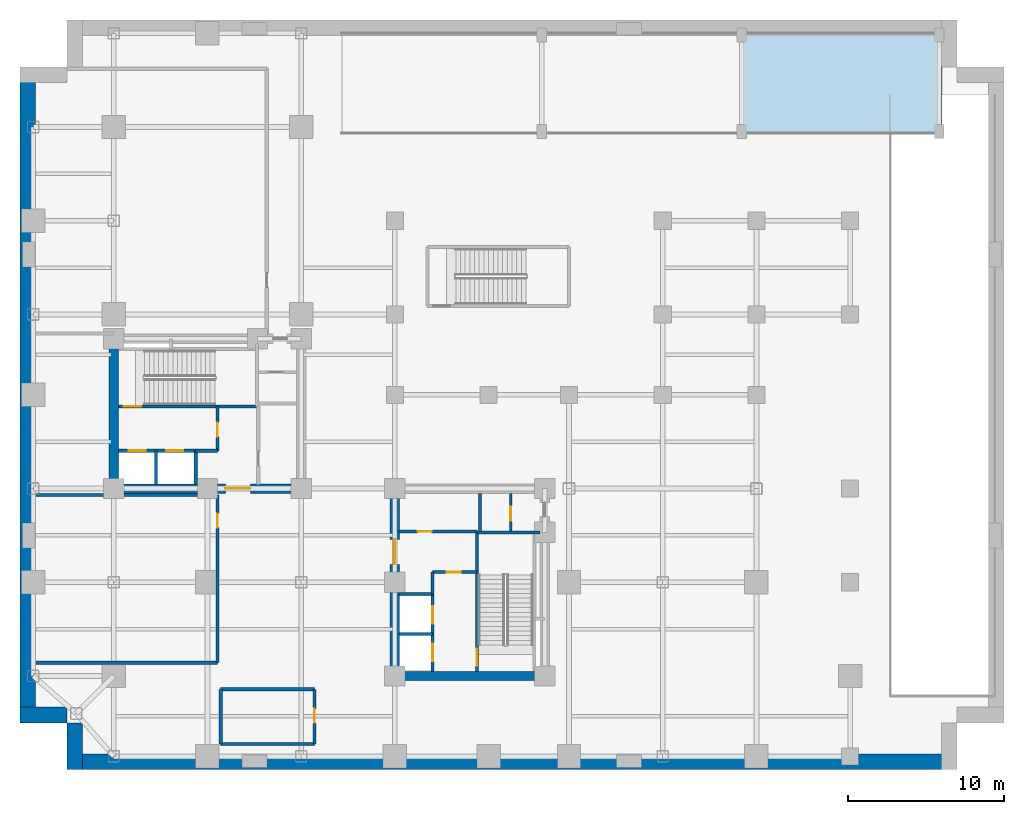
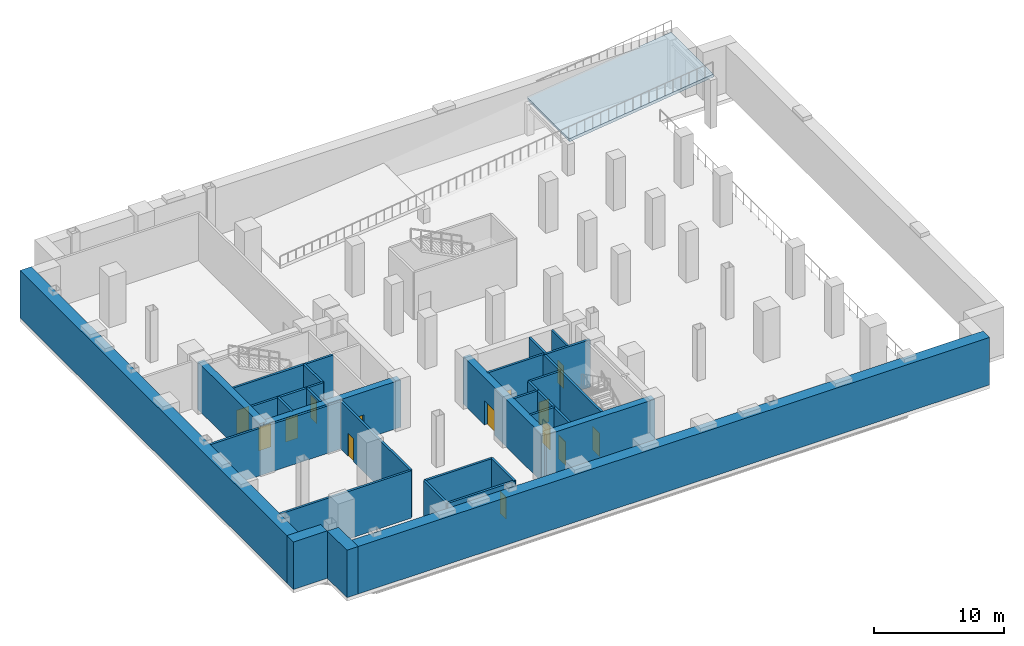
# One storey, part 3 of 6: 31 walls, 14 doors, 1 slab, 14 openings.
"""IFC4 building model written with IfcOpenShell, lengths in metres."""

from ifc_helpers import new_model, si_unit, direction, frame, frame_2d, origin, place, context, subcontext, project, spatial, polyline, rectangle, outline, extrude, material, layer, layer_set, type_object, element, fill, save


model = new_model("IFC4")

# Units and contexts
model_context = context("Model", 3, precision=1e-05, world=origin(), true_north=direction((0.0, 1.0)))
body_context = subcontext(model_context, "Body", "Model", "MODEL_VIEW")
ifc_project = project(units=[si_unit("LENGTHUNIT", "METRE"), si_unit("AREAUNIT", "SQUARE_METRE"), si_unit("VOLUMEUNIT", "CUBIC_METRE"), si_unit("PLANEANGLEUNIT", "RADIAN"), si_unit("MASSUNIT", "GRAM", prefix="KILO"), si_unit("THERMODYNAMICTEMPERATUREUNIT", "KELVIN"), si_unit("POWERUNIT", "WATT")], contexts=[model_context])

# Site, building, storey
site_placement = place(None, origin())
site = spatial("IfcSite", under=ifc_project, at=site_placement, CompositionType="ELEMENT")
building_placement = place(site_placement, origin())
building = spatial("IfcBuilding", under=site, at=building_placement, Name="Svarakhadi Broadcast Tower", CompositionType="ELEMENT")
storey_placement = place(building_placement, frame((0.0, 0.0, -4.800048828125)))
storey = spatial("IfcBuildingStorey", under=building, at=storey_placement, Name="B01", CompositionType="ELEMENT", Elevation=-4.800048828125)

# Slab
ifc_material_1 = material(Name="Concrete C45/55 (IS 456 M55 Marine)", Category="concrete")
ifc_layer_1 = layer(ifc_material_1, 0.280029296875)
ifc_layer_set_1 = layer_set([ifc_layer_1], Name="Concrete C45/55 (IS 456 M55 Marine)")
slab_type = type_object("IfcSlabType", Name="Slab_VehRamp", PredefinedType="FLOOR", material=ifc_layer_set_1)
slab_placement = place(storey_placement, frame((46.199951171875, 40.699951171875, 3.199951171875), z_axis=(-0.124041722688, 0.0, 0.992277003176), x_axis=(0.992277003176, 0.0, 0.124041722688)))
element("IfcSlab", 1, at=slab_placement, inside=storey, type_object=slab_type, Name="Car Park Vehicle Ramp R1 Flight B01-L00 Segment 3", PredefinedType="FLOOR", context=body_context, shape_type="SweptSolid", body=[
    extrude(outline(polyline([(0.0, 0.0), (12.899672961432818, 0.0), (12.899672961432818, 6.5), (0.0, 6.5), (0.0, 0.0)])), origin(), (0.0, 0.0, -1.0), 0.280029296875),
])

# Walls
ifc_layer_2 = layer(ifc_material_1, 1.0)
ifc_layer_set_2 = layer_set([ifc_layer_2], Name="Concrete C45/55 (IS 456 M55 Marine)")
wall_type_1 = type_object("IfcWallType", Name="Wall_Diaphragm_1000", PredefinedType="USERDEFINED", material=ifc_layer_set_2)
wall_1_placement = place(storey_placement, frame((3.0, 3.5, 0.0), z_axis=(0.0, 0.0, 1.0), x_axis=(-1.0, 0.0, 0.0)))
element("IfcWall", 2, at=wall_1_placement, inside=storey, type_object=wall_type_1, Name="B01 Perimeter Slurry Diaphragm Retaining Wall 01", ObjectType="RETAININGWALL", PredefinedType="USERDEFINED", context=body_context, shape_type="SweptSolid", body=[
    extrude(rectangle(XDim=3.0, YDim=1.0, at=frame_2d((1.5, 0.0))), origin(), (0.0, 0.0, 1.0), 4.449951171875),
])
wall_2_placement = place(storey_placement, frame((0.5, 3.0, 0.0), z_axis=(0.0, 0.0, 1.0), x_axis=(0.0, 1.0, 0.0)))
element("IfcWall", 3, at=wall_2_placement, inside=storey, type_object=wall_type_1, Name="B01 Perimeter Slurry Diaphragm Retaining Wall 02", ObjectType="RETAININGWALL", PredefinedType="USERDEFINED", context=body_context, shape_type="SweptSolid", body=[
    extrude(rectangle(XDim=42.0, YDim=1.0, at=frame_2d((21.0, 0.0))), origin(), (0.0, 0.0, 1.0), 4.449951171875),
])
wall_3_placement = place(storey_placement, frame((60.0, 0.5, 0.0), z_axis=(0.0, 0.0, 1.0), x_axis=(-1.0, 0.0, 0.0)))
element("IfcWall", 4, at=wall_3_placement, inside=storey, type_object=wall_type_1, Name="B01 Perimeter Slurry Diaphragm Retaining Wall 11", ObjectType="RETAININGWALL", PredefinedType="USERDEFINED", context=body_context, shape_type="SweptSolid", body=[
    extrude(rectangle(XDim=57.0, YDim=1.0, at=frame_2d((28.5, 0.0))), origin(), (0.0, 0.0, 1.0), 4.449951171875),
])
wall_4_placement = place(storey_placement, frame((3.5, 0.0, 0.0), z_axis=(0.0, 0.0, 1.0), x_axis=(0.0, 1.0, 0.0)))
element("IfcWall", 5, at=wall_4_placement, inside=storey, type_object=wall_type_1, Name="B01 Perimeter Slurry Diaphragm Retaining Wall 12", ObjectType="RETAININGWALL", PredefinedType="USERDEFINED", context=body_context, shape_type="SweptSolid", body=[
    extrude(rectangle(XDim=3.0, YDim=1.0, at=frame_2d((1.5, 0.0))), origin(), (0.0, 0.0, 1.0), 4.449951171875),
])

# Wall, opening, door
ifc_material_2 = material(Name="Concrete C40/50 (IS 456 M50)", Category="concrete")
ifc_layer_3 = layer(ifc_material_2, 0.199951171875)
ifc_layer_set_3 = layer_set([ifc_layer_3], Name="Concrete C40/50 (IS 456 M50)")
wall_type_2 = type_object("IfcWallType", Name="Wall_Fire_200", PredefinedType="SOLIDWALL", material=ifc_layer_set_3)
wall_5_placement = place(storey_placement, frame((24.25, 15.25, 0.0), z_axis=(0.0, 0.0, 1.0), x_axis=(1.0, 0.0, 0.0)))
wall_5 = element("IfcWall", 6, at=wall_5_placement, inside=storey, type_object=wall_type_2, Name="B01 Bank C East Motor Room Wall", PredefinedType="SOLIDWALL", context=body_context, shape_type="SweptSolid", body=[
    extrude(rectangle(XDim=5.010009765625, YDim=0.199951171875, at=frame_2d((2.5048828125, 0.0))), origin(), (0.0, 0.0, 1.0), 4.449951171875),
])
opening_1_placement = place(wall_5_placement, frame((1.199951171875, 0.0, 0.0)))
opening_1 = element("IfcOpeningElement", 7, at=opening_1_placement, cuts=wall_5, Name="Opening D-03", PredefinedType="OPENING", context=body_context, shape_type="SweptSolid", body=[
    extrude(rectangle(XDim=0.89990234375, YDim=2.14990234375, at=frame_2d((0.449951171875, 1.074951171875))), frame((0.0, 0.10986328125, 0.0), z_axis=(0.0, -1.0, 0.0), x_axis=(1.0, 0.0, 0.0)), (0.0, 0.0, 1.0), 0.219970703125),
])
ifc_material_3 = material(Name="Galvanised Powder-Coated Fire-Rated Steel Leaf", Category="steel")
door_type_1 = type_object("IfcDoorType", Name="Door_Fire_D03", OperationType="SINGLE_SWING_LEFT", PredefinedType="DOOR", material=ifc_material_3)
door_1_placement = place(opening_1_placement, origin())
door_1 = element("IfcDoor", 8, at=door_1_placement, inside=storey, type_object=door_type_1, Name="B01 Bank C East Motor Room Door", OperationType="SINGLE_SWING_LEFT", OverallHeight=2.14990234375, OverallWidth=0.89990234375, PredefinedType="DOOR", context=body_context, shape_type="SweptSolid", body=[
    extrude(rectangle(XDim=0.89990234375, YDim=2.14990234375, at=frame_2d((0.449951171875, 1.074951171875))), frame((0.0, 0.02490234375, 0.0), z_axis=(0.0, -1.0, 0.0), x_axis=(1.0, 0.0, 0.0)), (0.0, 0.0, 1.0), 0.050048828125),
])
fill(opening_1, door_1)

# Walls
wall_6_placement = place(storey_placement, frame((29.449951171875, 15.25, 0.0), z_axis=(0.0, 0.0, 1.0), x_axis=(0.0, 1.0, 0.0)))
element("IfcWall", 9, at=wall_6_placement, inside=storey, type_object=wall_type_2, Name="B01 Bank C East Motor Room East Wall", PredefinedType="SOLIDWALL", context=body_context, shape_type="SweptSolid", body=[
    extrude(rectangle(XDim=2.449951171875, YDim=0.199951171875, at=frame_2d((1.22509765625, 0.0))), origin(), (0.0, 0.0, 1.0), 4.449951171875),
])
for number, where, z_axis, x_axis, name in (
    (10, (1.02001953125, 6.85009765625, 0.0), (0.0, 0.0, 1.0), (1.0, 0.0, 0.0), "B01 Basement Ventilation Fan Plant Room Wall"),
    (11, (1.02001953125, 17.580078125, 0.0), (0.0, 0.0, 1.0), (1.0, 0.0, 0.0), "B01 Basement Ventilation Fan Plant Room Wall"),
):
    element("IfcWall", number, at=place(storey_placement, frame(where, z_axis=z_axis, x_axis=x_axis)), inside=storey, type_object=wall_type_2, Name=name, PredefinedType="SOLIDWALL", context=body_context, shape_type="SweptSolid", body=[
        extrude(rectangle(XDim=11.6298828125, YDim=0.199951171875, at=frame_2d((5.81494140625, 0.0))), origin(), (0.0, 0.0, 1.0), 4.449951171875),
    ])

# Wall, opening, door
wall_7_placement = place(storey_placement, frame((12.64990234375, 6.85009765625, 0.0), z_axis=(0.0, 0.0, 1.0), x_axis=(0.0, 1.0, 0.0)))
wall_7 = element("IfcWall", 12, at=wall_7_placement, inside=storey, type_object=wall_type_2, Name="B01 Basement Ventilation Fan Plant Room Wall", PredefinedType="SOLIDWALL", context=body_context, shape_type="SweptSolid", body=[
    extrude(rectangle(XDim=10.72998046875, YDim=0.199951171875, at=frame_2d((5.364990234375, 0.0))), origin(), (0.0, 0.0, 1.0), 4.449951171875),
])
opening_2_placement = place(wall_7_placement, frame((8.64990234375, 0.0, 0.0)))
opening_2 = element("IfcOpeningElement", 13, at=opening_2_placement, cuts=wall_7, Name="Opening D-03", PredefinedType="OPENING", context=body_context, shape_type="SweptSolid", body=[
    extrude(rectangle(XDim=0.89990234375, YDim=2.14990234375, at=frame_2d((0.449951171875, 1.074951171875))), frame((0.0, 0.10986328125, 0.0), z_axis=(0.0, -1.0, 0.0), x_axis=(1.0, 0.0, 0.0)), (0.0, 0.0, 1.0), 0.219970703125),
])
door_2_placement = place(opening_2_placement, origin())
door_2 = element("IfcDoor", 14, at=door_2_placement, inside=storey, type_object=door_type_1, Name="B01 Basement Ventilation Fan Plant Room Door", OperationType="SINGLE_SWING_LEFT", OverallHeight=2.14990234375, OverallWidth=0.89990234375, PredefinedType="DOOR", context=body_context, shape_type="SweptSolid", body=[
    extrude(rectangle(XDim=0.89990234375, YDim=2.14990234375, at=frame_2d((0.449951171875, 1.074951171875))), frame((0.0, 0.02490234375, 0.0), z_axis=(0.0, -1.0, 0.0), x_axis=(1.0, 0.0, 0.0)), (0.0, 0.0, 1.0), 0.050048828125),
])
fill(opening_2, door_2)

# Walls
for number, where, z_axis, x_axis, name in (
    (15, (12.85009765625, 1.64990234375, 0.0), (0.0, 0.0, 1.0), (1.0, 0.0, 0.0), "B01 B01 Accessible Driver Washroom WC Wall"),
    (16, (12.85009765625, 5.14990234375, 0.0), (0.0, 0.0, 1.0), (1.0, 0.0, 0.0), "B01 B01 Accessible Driver Washroom WC Wall"),
):
    element("IfcWall", number, at=place(storey_placement, frame(where, z_axis=z_axis, x_axis=x_axis)), inside=storey, type_object=wall_type_2, Name=name, PredefinedType="SOLIDWALL", context=body_context, shape_type="SweptSolid", body=[
        extrude(rectangle(XDim=6.0, YDim=0.199951171875, at=frame_2d((3.0, 0.0))), origin(), (0.0, 0.0, 1.0), 4.449951171875),
    ])
wall_8_placement = place(storey_placement, frame((12.85009765625, 1.64990234375, 0.0), z_axis=(0.0, 0.0, 1.0), x_axis=(0.0, 1.0, 0.0)))
element("IfcWall", 17, at=wall_8_placement, inside=storey, type_object=wall_type_2, Name="B01 B01 Accessible Driver Washroom WC Wall", PredefinedType="SOLIDWALL", context=body_context, shape_type="SweptSolid", body=[
    extrude(rectangle(XDim=3.5, YDim=0.199951171875, at=frame_2d((1.75, 0.0))), origin(), (0.0, 0.0, 1.0), 4.449951171875),
])

# Wall, opening, door
wall_9_placement = place(storey_placement, frame((18.85009765625, 1.64990234375, 0.0), z_axis=(0.0, 0.0, 1.0), x_axis=(0.0, 1.0, 0.0)))
wall_9 = element("IfcWall", 18, at=wall_9_placement, inside=storey, type_object=wall_type_2, Name="B01 B01 Accessible Driver Washroom WC Wall", PredefinedType="SOLIDWALL", context=body_context, shape_type="SweptSolid", body=[
    extrude(rectangle(XDim=3.5, YDim=0.199951171875, at=frame_2d((1.75, 0.0))), origin(), (0.0, 0.0, 1.0), 4.449951171875),
])
opening_3_placement = place(wall_9_placement, frame((1.35009765625, 0.0, 0.0)))
opening_3 = element("IfcOpeningElement", 19, at=opening_3_placement, cuts=wall_9, Name="Opening D-12", PredefinedType="OPENING", context=body_context, shape_type="SweptSolid", body=[
    extrude(rectangle(XDim=0.89990234375, YDim=2.10009765625, at=frame_2d((0.449951171875, 1.050048828125))), frame((0.0, 0.10986328125, 0.0), z_axis=(0.0, -1.0, 0.0), x_axis=(1.0, 0.0, 0.0)), (0.0, 0.0, 1.0), 0.219970703125),
])
ifc_material_4 = material(Name="Solid-Core Teak Veneer Acoustic Timber Leaf", Category="wood")
door_type_2 = type_object("IfcDoorType", Name="Door_WC_D01", OperationType="SINGLE_SWING_LEFT", PredefinedType="DOOR", material=ifc_material_4)
door_3_placement = place(opening_3_placement, origin())
door_3 = element("IfcDoor", 20, at=door_3_placement, inside=storey, type_object=door_type_2, Name="B01 B01 Accessible Driver Washroom WC Door", OperationType="SINGLE_SWING_LEFT", OverallHeight=2.10009765625, OverallWidth=0.89990234375, PredefinedType="DOOR", context=body_context, shape_type="SweptSolid", body=[
    extrude(rectangle(XDim=0.89990234375, YDim=2.10009765625, at=frame_2d((0.449951171875, 1.050048828125))), frame((0.0, 0.02490234375, 0.0), z_axis=(0.0, -1.0, 0.0), x_axis=(1.0, 0.0, 0.0)), (0.0, 0.0, 1.0), 0.050048828125),
])
fill(opening_3, door_3)

ifc_material_5 = material(Name="Autoclaved Aerated Concrete Blockwork 150 mm", Category="masonry")
ifc_layer_4 = layer(ifc_material_5, 0.14990234375)
ifc_layer_set_4 = layer_set([ifc_layer_4], Name="Autoclaved Aerated Concrete Blockwork 150 mm")
wall_type_3 = type_object("IfcWallType", Name="Wall_Part_150", PredefinedType="PARTITIONING", material=ifc_layer_set_4)
wall_10_placement = place(storey_placement, frame((31.419921875, 15.280029296875, 0.0), z_axis=(0.0, 0.0, 1.0), x_axis=(0.0, 1.0, 0.0)))
wall_10 = element("IfcWall", 21, at=wall_10_placement, inside=storey, type_object=wall_type_3, Name="B01 East Core Dual Store Wall", PredefinedType="PARTITIONING", context=body_context, shape_type="SweptSolid", body=[
    extrude(rectangle(XDim=2.419921875, YDim=0.14990234375, at=frame_2d((1.2099609375, 0.0))), origin(), (0.0, 0.0, 1.0), 4.449951171875),
])
opening_4_placement = place(wall_10_placement, frame((0.64990234375, 0.0, 0.0)))
opening_4 = element("IfcOpeningElement", 22, at=opening_4_placement, cuts=wall_10, Name="Opening D-03", PredefinedType="OPENING", context=body_context, shape_type="SweptSolid", body=[
    extrude(rectangle(XDim=0.89990234375, YDim=2.14990234375, at=frame_2d((0.449951171875, 1.074951171875))), frame((0.0, 0.0849609375, 0.0), z_axis=(0.0, -1.0, 0.0), x_axis=(1.0, 0.0, 0.0)), (0.0, 0.0, 1.0), 0.169921875),
])
door_4_placement = place(opening_4_placement, origin())
door_4 = element("IfcDoor", 23, at=door_4_placement, inside=storey, type_object=door_type_1, Name="B01 East Core Store B Door", OperationType="SINGLE_SWING_LEFT", OverallHeight=2.14990234375, OverallWidth=0.89990234375, PredefinedType="DOOR", context=body_context, shape_type="SweptSolid", body=[
    extrude(rectangle(XDim=0.89990234375, YDim=2.14990234375, at=frame_2d((0.449951171875, 1.074951171875))), frame((0.0, 0.02490234375, 0.0), z_axis=(0.0, -1.0, 0.0), x_axis=(1.0, 0.0, 0.0)), (0.0, 0.0, 1.0), 0.050048828125),
])
fill(opening_4, door_4)

ifc_material_6 = material(Name="Concrete C50/60 (IS 456 M60)", Category="concrete")
ifc_layer_5 = layer(ifc_material_6, 0.199951171875)
ifc_layer_set_5 = layer_set([ifc_layer_5], Name="Concrete C50/60 (IS 456 M60)")
wall_type_4 = type_object("IfcWallType", Name="Wall_Shear_200", PredefinedType="SHEAR", material=ifc_layer_set_5)
wall_11_placement = place(storey_placement, frame((6.300048828125, 23.260009765625, 0.0), z_axis=(0.0, 0.0, 1.0), x_axis=(1.0, 0.0, 0.0)))
wall_11 = element("IfcWall", 24, at=wall_11_placement, inside=storey, type_object=wall_type_4, Name="B01 Stair ST-01 South RC Shaft Wall", PredefinedType="SHEAR", context=body_context, shape_type="SweptSolid", body=[
    extrude(rectangle(XDim=8.8798828125, YDim=0.199951171875, at=frame_2d((4.43994140625, 0.0))), origin(), (0.0, 0.0, 1.0), 4.449951171875),
])
opening_5_placement = place(wall_11_placement, frame((0.35009765625, 0.0, 0.0)))
opening_5 = element("IfcOpeningElement", 25, at=opening_5_placement, cuts=wall_11, Name="Opening D-01", PredefinedType="OPENING", context=body_context, shape_type="SweptSolid", body=[
    extrude(rectangle(XDim=1.10009765625, YDim=2.199951171875, at=frame_2d((0.550048828125, 1.10009765625))), frame((0.0, 0.10986328125, 0.0), z_axis=(0.0, -1.0, 0.0), x_axis=(1.0, 0.0, 0.0)), (0.0, 0.0, 1.0), 0.219970703125),
])
door_type_3 = type_object("IfcDoorType", Name="Door_Stair_D01", OperationType="SINGLE_SWING_LEFT", PredefinedType="DOOR", material=ifc_material_3)
door_5_placement = place(opening_5_placement, origin())
door_5 = element("IfcDoor", 26, at=door_5_placement, inside=storey, type_object=door_type_3, Name="B01 Protected Exit Stair ST-01 Fire Door", OperationType="SINGLE_SWING_LEFT", OverallHeight=2.199951171875, OverallWidth=1.10009765625, PredefinedType="DOOR", context=body_context, shape_type="SweptSolid", body=[
    extrude(rectangle(XDim=1.10009765625, YDim=2.199951171875, at=frame_2d((0.550048828125, 1.10009765625))), frame((0.0, 0.02490234375, 0.0), z_axis=(0.0, -1.0, 0.0), x_axis=(1.0, 0.0, 0.0)), (0.0, 0.0, 1.0), 0.050048828125),
])
fill(opening_5, door_5)

wall_12_placement = place(storey_placement, frame((29.260009765625, 6.300048828125, 0.0), z_axis=(0.0, 0.0, 1.0), x_axis=(0.0, 1.0, 0.0)))
wall_12 = element("IfcWall", 27, at=wall_12_placement, inside=storey, type_object=wall_type_4, Name="B01 Stair ST-02 West RC Shaft Wall", PredefinedType="SHEAR", context=body_context, shape_type="SweptSolid", body=[
    extrude(rectangle(XDim=8.8798828125, YDim=0.199951171875, at=frame_2d((4.43994140625, 0.0))), origin(), (0.0, 0.0, 1.0), 4.449951171875),
])
opening_6_placement = place(wall_12_placement, frame((0.35009765625, 0.0, 0.0)))
opening_6 = element("IfcOpeningElement", 28, at=opening_6_placement, cuts=wall_12, Name="Opening D-02", PredefinedType="OPENING", context=body_context, shape_type="SweptSolid", body=[
    extrude(rectangle(XDim=1.10009765625, YDim=2.199951171875, at=frame_2d((0.550048828125, 1.10009765625))), frame((0.0, 0.10986328125, 0.0), z_axis=(0.0, -1.0, 0.0), x_axis=(1.0, 0.0, 0.0)), (0.0, 0.0, 1.0), 0.219970703125),
])
door_type_4 = type_object("IfcDoorType", Name="Door_Stair_D02", OperationType="SINGLE_SWING_RIGHT", PredefinedType="DOOR", material=ifc_material_3)
door_6_placement = place(opening_6_placement, origin())
door_6 = element("IfcDoor", 29, at=door_6_placement, inside=storey, type_object=door_type_4, Name="B01 Protected Exit Stair ST-02 Fire Door", OperationType="SINGLE_SWING_RIGHT", OverallHeight=2.199951171875, OverallWidth=1.10009765625, PredefinedType="DOOR", context=body_context, shape_type="SweptSolid", body=[
    extrude(rectangle(XDim=1.10009765625, YDim=2.199951171875, at=frame_2d((0.550048828125, 1.10009765625))), frame((0.0, 0.02490234375, 0.0), z_axis=(0.0, -1.0, 0.0), x_axis=(1.0, 0.0, 0.0)), (0.0, 0.0, 1.0), 0.050048828125),
])
fill(opening_6, door_6)

# Wall
wall_13_placement = place(storey_placement, frame((29.260009765625, 15.179931640625, 0.0), z_axis=(0.0, 0.0, 1.0), x_axis=(1.0, 0.0, 0.0)))
element("IfcWall", 30, at=wall_13_placement, inside=storey, type_object=wall_type_4, Name="B01 Stair ST-02 North RC Shaft Wall", PredefinedType="SHEAR", context=body_context, shape_type="SweptSolid", body=[
    extrude(rectangle(XDim=4.0400390625, YDim=0.199951171875, at=frame_2d((2.02001953125, 0.0))), origin(), (0.0, 0.0, 1.0), 4.449951171875),
])

# Wall, openings, doors
wall_14_placement = place(storey_placement, frame((6.300048828125, 20.419921875, 0.0), z_axis=(0.0, 0.0, 1.0), x_axis=(1.0, 0.0, 0.0)))
wall_14 = element("IfcWall", 31, at=wall_14_placement, inside=storey, type_object=wall_type_4, Name="B01 Firefighting Lift LF-01/02 Shaft Wall", PredefinedType="SHEAR", context=body_context, shape_type="SweptSolid", body=[
    extrude(rectangle(XDim=4.949951171875, YDim=0.199951171875, at=frame_2d((2.47509765625, 0.0))), origin(), (0.0, 0.0, 1.0), 4.449951171875),
])
opening_7_placement = place(wall_14_placement, frame((0.64990234375, 0.0, 0.0)))
opening_7 = element("IfcOpeningElement", 32, at=opening_7_placement, cuts=wall_14, Name="Opening LD-01", PredefinedType="OPENING", context=body_context, shape_type="SweptSolid", body=[
    extrude(rectangle(XDim=1.10009765625, YDim=2.199951171875, at=frame_2d((0.550048828125, 1.10009765625))), frame((0.0, 0.10986328125, 0.0), z_axis=(0.0, -1.0, 0.0), x_axis=(1.0, 0.0, 0.0)), (0.0, 0.0, 1.0), 0.219970703125),
])
opening_8_placement = place(wall_14_placement, frame((3.050048828125, 0.0, 0.0)))
opening_8 = element("IfcOpeningElement", 33, at=opening_8_placement, cuts=wall_14, Name="Opening LD-01", PredefinedType="OPENING", context=body_context, shape_type="SweptSolid", body=[
    extrude(rectangle(XDim=1.10009765625, YDim=2.199951171875, at=frame_2d((0.550048828125, 1.10009765625))), frame((0.0, 0.10986328125, 0.0), z_axis=(0.0, -1.0, 0.0), x_axis=(1.0, 0.0, 0.0)), (0.0, 0.0, 1.0), 0.219970703125),
])
door_type_5 = type_object("IfcDoorType", Name="Door_Lift_LD01", OperationType="SLIDING_TO_LEFT", PredefinedType="DOOR", material=ifc_material_3)
door_7_placement = place(opening_7_placement, origin())
door_7 = element("IfcDoor", 34, at=door_7_placement, inside=storey, type_object=door_type_5, Name="B01 Firefighting Lift LF-01 Landing Door", OperationType="SLIDING_TO_LEFT", OverallHeight=2.199951171875, OverallWidth=1.10009765625, PredefinedType="DOOR", context=body_context, shape_type="SweptSolid", body=[
    extrude(rectangle(XDim=1.10009765625, YDim=2.199951171875, at=frame_2d((0.550048828125, 1.10009765625))), frame((0.0, 0.02490234375, 0.0), z_axis=(0.0, -1.0, 0.0), x_axis=(1.0, 0.0, 0.0)), (0.0, 0.0, 1.0), 0.050048828125),
])
fill(opening_7, door_7)
door_8_placement = place(opening_8_placement, origin())
door_8 = element("IfcDoor", 35, at=door_8_placement, inside=storey, type_object=door_type_5, Name="B01 Firefighting Lift LF-02 Landing Door", OperationType="SLIDING_TO_LEFT", OverallHeight=2.199951171875, OverallWidth=1.10009765625, PredefinedType="DOOR", context=body_context, shape_type="SweptSolid", body=[
    extrude(rectangle(XDim=1.10009765625, YDim=2.199951171875, at=frame_2d((0.550048828125, 1.10009765625))), frame((0.0, 0.02490234375, 0.0), z_axis=(0.0, -1.0, 0.0), x_axis=(1.0, 0.0, 0.0)), (0.0, 0.0, 1.0), 0.050048828125),
])
fill(opening_8, door_8)

# Walls
for number, where, z_axis, x_axis, name in (
    (36, (8.699951171875, 18.25, 0.0), (0.0, 0.0, 1.0), (0.0, 1.0, 0.0), "B01 Firefighting Lift LF-01/02 Divider Wall"),
    (37, (11.25, 18.25, 0.0), (0.0, 0.0, 1.0), (0.0, 1.0, 0.0), "B01 Firefighting Lift LF-02 East Wall"),
):
    element("IfcWall", number, at=place(storey_placement, frame(where, z_axis=z_axis, x_axis=x_axis)), inside=storey, type_object=wall_type_4, Name=name, PredefinedType="SHEAR", context=body_context, shape_type="SweptSolid", body=[
        extrude(rectangle(XDim=2.169921875, YDim=0.199951171875, at=frame_2d((1.0849609375, 0.0))), origin(), (0.0, 0.0, 1.0), 4.449951171875),
    ])
wall_15_placement = place(storey_placement, frame((11.25, 20.419921875, 0.0), z_axis=(0.0, 0.0, 1.0), x_axis=(1.0, 0.0, 0.0)))
element("IfcWall", 38, at=wall_15_placement, inside=storey, type_object=wall_type_4, Name="B01 West Firefighting Lobby South Wall", PredefinedType="SHEAR", context=body_context, shape_type="SweptSolid", body=[
    extrude(rectangle(XDim=1.39990234375, YDim=0.199951171875, at=frame_2d((0.699951171875, 0.0))), origin(), (0.0, 0.0, 1.0), 4.449951171875),
])

# Wall, opening, door
wall_16_placement = place(storey_placement, frame((12.64990234375, 20.419921875, 0.0), z_axis=(0.0, 0.0, 1.0), x_axis=(0.0, 1.0, 0.0)))
wall_16 = element("IfcWall", 39, at=wall_16_placement, inside=storey, type_object=wall_type_4, Name="B01 West Firefighting Lobby East Wall", PredefinedType="SHEAR", context=body_context, shape_type="SweptSolid", body=[
    extrude(rectangle(XDim=2.840087890625, YDim=0.199951171875, at=frame_2d((1.419921875, 0.0))), origin(), (0.0, 0.0, 1.0), 4.449951171875),
])
opening_9_placement = place(wall_16_placement, frame((0.89990234375, 0.0, 0.0)))
opening_9 = element("IfcOpeningElement", 40, at=opening_9_placement, cuts=wall_16, Name="Opening D-04", PredefinedType="OPENING", context=body_context, shape_type="SweptSolid", body=[
    extrude(rectangle(XDim=0.89990234375, YDim=2.14990234375, at=frame_2d((0.449951171875, 1.074951171875))), frame((0.0, 0.10986328125, 0.0), z_axis=(0.0, -1.0, 0.0), x_axis=(1.0, 0.0, 0.0)), (0.0, 0.0, 1.0), 0.219970703125),
])
door_type_6 = type_object("IfcDoorType", Name="Door_Fire_D04", OperationType="SINGLE_SWING_RIGHT", PredefinedType="DOOR", material=ifc_material_3)
door_9_placement = place(opening_9_placement, origin())
door_9 = element("IfcDoor", 41, at=door_9_placement, inside=storey, type_object=door_type_6, Name="B01 West Firefighting Lobby Fire Door", OperationType="SINGLE_SWING_RIGHT", OverallHeight=2.14990234375, OverallWidth=0.89990234375, PredefinedType="DOOR", context=body_context, shape_type="SweptSolid", body=[
    extrude(rectangle(XDim=0.89990234375, YDim=2.14990234375, at=frame_2d((0.449951171875, 1.074951171875))), frame((0.0, 0.02490234375, 0.0), z_axis=(0.0, -1.0, 0.0), x_axis=(1.0, 0.0, 0.0)), (0.0, 0.0, 1.0), 0.050048828125),
])
fill(opening_9, door_9)

# Wall, openings, doors
wall_17_placement = place(storey_placement, frame((26.419921875, 6.300048828125, 0.0), z_axis=(0.0, 0.0, 1.0), x_axis=(0.0, 1.0, 0.0)))
wall_17 = element("IfcWall", 42, at=wall_17_placement, inside=storey, type_object=wall_type_4, Name="B01 Firefighting Lift LF-03/04 Shaft Wall", PredefinedType="SHEAR", context=body_context, shape_type="SweptSolid", body=[
    extrude(rectangle(XDim=4.949951171875, YDim=0.199951171875, at=frame_2d((2.47509765625, 0.0))), origin(), (0.0, 0.0, 1.0), 4.449951171875),
])
opening_10_placement = place(wall_17_placement, frame((0.64990234375, 0.0, 0.0)))
opening_10 = element("IfcOpeningElement", 43, at=opening_10_placement, cuts=wall_17, Name="Opening LD-01", PredefinedType="OPENING", context=body_context, shape_type="SweptSolid", body=[
    extrude(rectangle(XDim=1.10009765625, YDim=2.199951171875, at=frame_2d((0.550048828125, 1.10009765625))), frame((0.0, 0.10986328125, 0.0), z_axis=(0.0, -1.0, 0.0), x_axis=(1.0, 0.0, 0.0)), (0.0, 0.0, 1.0), 0.219970703125),
])
opening_11_placement = place(wall_17_placement, frame((3.050048828125, 0.0, 0.0)))
opening_11 = element("IfcOpeningElement", 44, at=opening_11_placement, cuts=wall_17, Name="Opening LD-01", PredefinedType="OPENING", context=body_context, shape_type="SweptSolid", body=[
    extrude(rectangle(XDim=1.10009765625, YDim=2.199951171875, at=frame_2d((0.550048828125, 1.10009765625))), frame((0.0, 0.10986328125, 0.0), z_axis=(0.0, -1.0, 0.0), x_axis=(1.0, 0.0, 0.0)), (0.0, 0.0, 1.0), 0.219970703125),
])
door_10_placement = place(opening_10_placement, origin())
door_10 = element("IfcDoor", 45, at=door_10_placement, inside=storey, type_object=door_type_5, Name="B01 Firefighting Lift LF-03 Landing Door", OperationType="SLIDING_TO_LEFT", OverallHeight=2.199951171875, OverallWidth=1.10009765625, PredefinedType="DOOR", context=body_context, shape_type="SweptSolid", body=[
    extrude(rectangle(XDim=1.10009765625, YDim=2.199951171875, at=frame_2d((0.550048828125, 1.10009765625))), frame((0.0, 0.02490234375, 0.0), z_axis=(0.0, -1.0, 0.0), x_axis=(1.0, 0.0, 0.0)), (0.0, 0.0, 1.0), 0.050048828125),
])
fill(opening_10, door_10)
door_11_placement = place(opening_11_placement, origin())
door_11 = element("IfcDoor", 46, at=door_11_placement, inside=storey, type_object=door_type_5, Name="B01 Firefighting Lift LF-04 Landing Door", OperationType="SLIDING_TO_LEFT", OverallHeight=2.199951171875, OverallWidth=1.10009765625, PredefinedType="DOOR", context=body_context, shape_type="SweptSolid", body=[
    extrude(rectangle(XDim=1.10009765625, YDim=2.199951171875, at=frame_2d((0.550048828125, 1.10009765625))), frame((0.0, 0.02490234375, 0.0), z_axis=(0.0, -1.0, 0.0), x_axis=(1.0, 0.0, 0.0)), (0.0, 0.0, 1.0), 0.050048828125),
])
fill(opening_11, door_11)

# Walls
for number, where, z_axis, x_axis, name in (
    (47, (24.25, 8.699951171875, 0.0), (0.0, 0.0, 1.0), (1.0, 0.0, 0.0), "B01 Firefighting Lift LF-03/04 Divider Wall"),
    (48, (24.25, 11.25, 0.0), (0.0, 0.0, 1.0), (1.0, 0.0, 0.0), "B01 Firefighting Lift LF-04 North Wall"),
):
    element("IfcWall", number, at=place(storey_placement, frame(where, z_axis=z_axis, x_axis=x_axis)), inside=storey, type_object=wall_type_4, Name=name, PredefinedType="SHEAR", context=body_context, shape_type="SweptSolid", body=[
        extrude(rectangle(XDim=2.169921875, YDim=0.199951171875, at=frame_2d((1.0849609375, 0.0))), origin(), (0.0, 0.0, 1.0), 4.449951171875),
    ])
wall_18_placement = place(storey_placement, frame((26.419921875, 11.25, 0.0), z_axis=(0.0, 0.0, 1.0), x_axis=(0.0, 1.0, 0.0)))
element("IfcWall", 49, at=wall_18_placement, inside=storey, type_object=wall_type_4, Name="B01 East Firefighting Lobby West Wall", PredefinedType="SHEAR", context=body_context, shape_type="SweptSolid", body=[
    extrude(rectangle(XDim=1.39990234375, YDim=0.199951171875, at=frame_2d((0.699951171875, 0.0))), origin(), (0.0, 0.0, 1.0), 4.449951171875),
])

# Wall, opening, door
wall_19_placement = place(storey_placement, frame((26.419921875, 12.64990234375, 0.0), z_axis=(0.0, 0.0, 1.0), x_axis=(1.0, 0.0, 0.0)))
wall_19 = element("IfcWall", 50, at=wall_19_placement, inside=storey, type_object=wall_type_4, Name="B01 East Firefighting Lobby North Wall", PredefinedType="SHEAR", context=body_context, shape_type="SweptSolid", body=[
    extrude(rectangle(XDim=2.840087890625, YDim=0.199951171875, at=frame_2d((1.419921875, 0.0))), origin(), (0.0, 0.0, 1.0), 4.449951171875),
])
opening_12_placement = place(wall_19_placement, frame((0.89990234375, 0.0, 0.0)))
opening_12 = element("IfcOpeningElement", 51, at=opening_12_placement, cuts=wall_19, Name="Opening D-03", PredefinedType="OPENING", context=body_context, shape_type="SweptSolid", body=[
    extrude(rectangle(XDim=0.89990234375, YDim=2.14990234375, at=frame_2d((0.449951171875, 1.074951171875))), frame((0.0, 0.10986328125, 0.0), z_axis=(0.0, -1.0, 0.0), x_axis=(1.0, 0.0, 0.0)), (0.0, 0.0, 1.0), 0.219970703125),
])
door_12_placement = place(opening_12_placement, origin())
door_12 = element("IfcDoor", 52, at=door_12_placement, inside=storey, type_object=door_type_1, Name="B01 East Firefighting Lobby Fire Door", OperationType="SINGLE_SWING_LEFT", OverallHeight=2.14990234375, OverallWidth=0.89990234375, PredefinedType="DOOR", context=body_context, shape_type="SweptSolid", body=[
    extrude(rectangle(XDim=0.89990234375, YDim=2.14990234375, at=frame_2d((0.449951171875, 1.074951171875))), frame((0.0, 0.02490234375, 0.0), z_axis=(0.0, -1.0, 0.0), x_axis=(1.0, 0.0, 0.0)), (0.0, 0.0, 1.0), 0.050048828125),
])
fill(opening_12, door_12)

ifc_material_7 = material(Name="Concrete C60/75 (IS 456 M70)", Category="concrete")
ifc_layer_6 = layer(ifc_material_7, 0.60009765625)
ifc_layer_set_6 = layer_set([ifc_layer_6], Name="Concrete C60/75 (IS 456 M70)")
wall_type_5 = type_object("IfcWallType", Name="Wall_Shear_600", PredefinedType="SHEAR", material=ifc_layer_set_6)
wall_20_placement = place(storey_placement, frame((6.0, 18.0, 0.0), z_axis=(0.0, 0.0, 1.0), x_axis=(1.0, 0.0, 0.0)))
wall_20 = element("IfcWall", 53, at=wall_20_placement, inside=storey, type_object=wall_type_5, Name="B01 West Core South Shear Wall", PredefinedType="SHEAR", context=body_context, shape_type="SweptSolid", body=[
    extrude(rectangle(XDim=12.0, YDim=0.60009765625, at=frame_2d((6.0, 0.0))), origin(), (0.0, 0.0, 1.0), 4.449951171875),
])
opening_13_placement = place(wall_20_placement, frame((7.14990234375, 0.0, 0.0)))
opening_13 = element("IfcOpeningElement", 54, at=opening_13_placement, cuts=wall_20, Name="Opening D-05", PredefinedType="OPENING", context=body_context, shape_type="SweptSolid", body=[
    extrude(rectangle(XDim=1.60009765625, YDim=2.300048828125, at=frame_2d((0.800048828125, 1.14990234375))), frame((0.0, 0.31005859375, 0.0), z_axis=(0.0, -1.0, 0.0), x_axis=(1.0, 0.0, 0.0)), (0.0, 0.0, 1.0), 0.6201171875),
])
ifc_material_8 = material(Name="Anodised Bronze Aluminium AA 6063-T6", Category="aluminium")
door_type_7 = type_object("IfcDoorType", Name="Door_Lobby_D05", OperationType="DOUBLE_DOOR_SLIDING", PredefinedType="DOOR", material=ifc_material_8)
door_13_placement = place(opening_13_placement, origin())
door_13 = element("IfcDoor", 55, at=door_13_placement, inside=storey, type_object=door_type_7, Name="B01 West Core Passenger Lift Lobby Entrance Door", OperationType="DOUBLE_DOOR_SLIDING", OverallHeight=2.300048828125, OverallWidth=1.60009765625, PredefinedType="DOOR", context=body_context, shape_type="SweptSolid", body=[
    extrude(rectangle(XDim=1.60009765625, YDim=2.300048828125, at=frame_2d((0.800048828125, 1.14990234375))), frame((0.0, 0.02490234375, 0.0), z_axis=(0.0, -1.0, 0.0), x_axis=(1.0, 0.0, 0.0)), (0.0, 0.0, 1.0), 0.050048828125),
])
fill(opening_13, door_13)

# Walls
for number, where, z_axis, x_axis, name in (
    (56, (6.0, 18.0, 0.0), (0.0, 0.0, 1.0), (0.0, 1.0, 0.0), "B01 West Core West Shear Wall"),
    (57, (24.0, 6.0, 0.0), (0.0, 0.0, 1.0), (1.0, 0.0, 0.0), "B01 East Core South Shear Wall"),
):
    element("IfcWall", number, at=place(storey_placement, frame(where, z_axis=z_axis, x_axis=x_axis)), inside=storey, type_object=wall_type_5, Name=name, PredefinedType="SHEAR", context=body_context, shape_type="SweptSolid", body=[
        extrude(rectangle(XDim=9.60009765625, YDim=0.60009765625, at=frame_2d((4.800048828125, 0.0))), origin(), (0.0, 0.0, 1.0), 4.449951171875),
    ])

# Wall, opening, door
wall_21_placement = place(storey_placement, frame((24.0, 6.0, 0.0), z_axis=(0.0, 0.0, 1.0), x_axis=(0.0, 1.0, 0.0)))
wall_21 = element("IfcWall", 58, at=wall_21_placement, inside=storey, type_object=wall_type_5, Name="B01 East Core West Shear Wall", PredefinedType="SHEAR", context=body_context, shape_type="SweptSolid", body=[
    extrude(rectangle(XDim=12.0, YDim=0.60009765625, at=frame_2d((6.0, 0.0))), origin(), (0.0, 0.0, 1.0), 4.449951171875),
])
opening_14_placement = place(wall_21_placement, frame((7.14990234375, 0.0, 0.0)))
opening_14 = element("IfcOpeningElement", 59, at=opening_14_placement, cuts=wall_21, Name="Opening D-05", PredefinedType="OPENING", context=body_context, shape_type="SweptSolid", body=[
    extrude(rectangle(XDim=1.60009765625, YDim=2.300048828125, at=frame_2d((0.800048828125, 1.14990234375))), frame((0.0, 0.31005859375, 0.0), z_axis=(0.0, -1.0, 0.0), x_axis=(1.0, 0.0, 0.0)), (0.0, 0.0, 1.0), 0.6201171875),
])
door_14_placement = place(opening_14_placement, origin())
door_14 = element("IfcDoor", 60, at=door_14_placement, inside=storey, type_object=door_type_7, Name="B01 East Core Passenger Lift Lobby Entrance Door", OperationType="DOUBLE_DOOR_SLIDING", OverallHeight=2.300048828125, OverallWidth=1.60009765625, PredefinedType="DOOR", context=body_context, shape_type="SweptSolid", body=[
    extrude(rectangle(XDim=1.60009765625, YDim=2.300048828125, at=frame_2d((0.800048828125, 1.14990234375))), frame((0.0, 0.02490234375, 0.0), z_axis=(0.0, -1.0, 0.0), x_axis=(1.0, 0.0, 0.0)), (0.0, 0.0, 1.0), 0.050048828125),
])
fill(opening_14, door_14)

save(model, "model.ifc")
